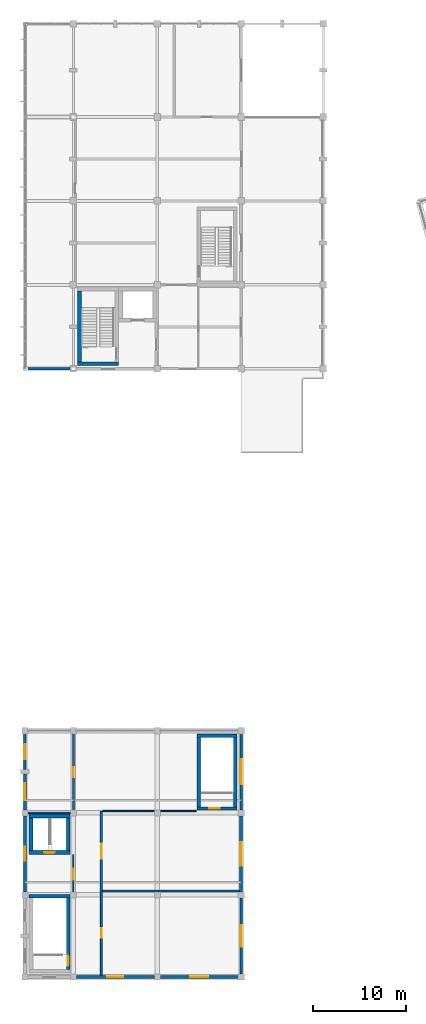
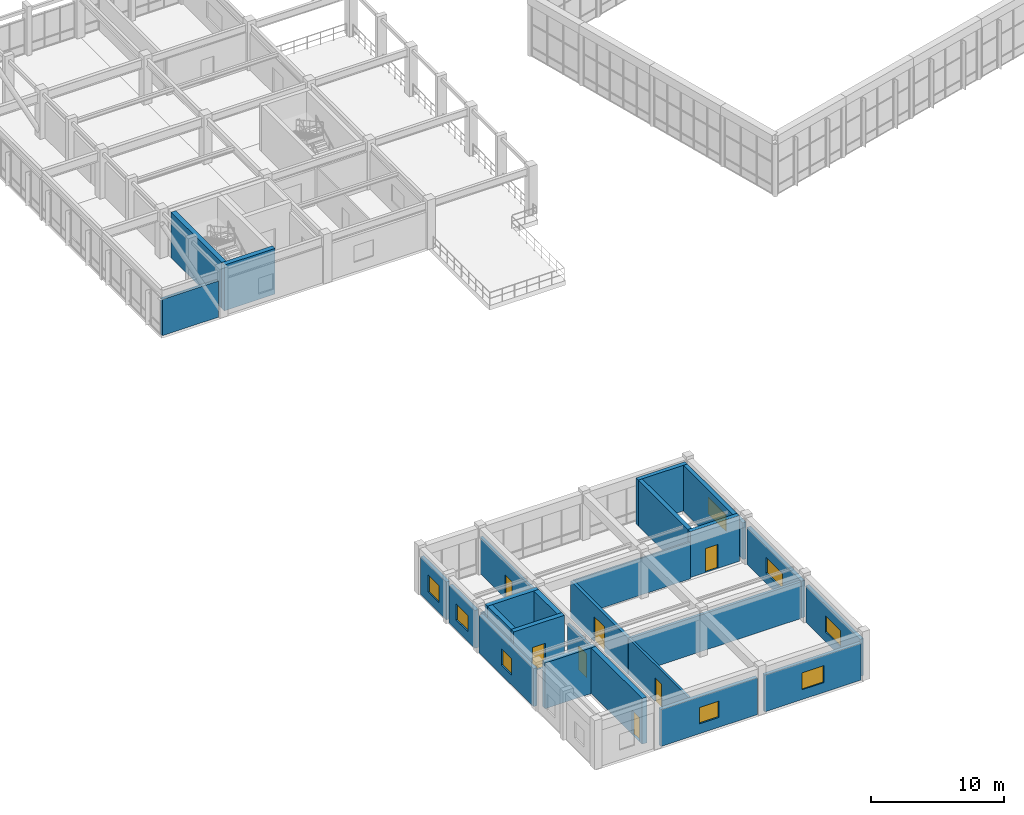
# One storey, part 44 of 55: 28 walls, 8 windows, 7 doors, 15 openings.
"""IFC4 building model written with IfcOpenShell, lengths in metres."""

from ifc_helpers import new_model, si_unit, direction, frame, frame_2d, origin, place, context, subcontext, project, spatial, rectangle, extrude, material, layer, layer_set, type_object, element, fill, save


model = new_model("IFC4")

# Units and contexts
model_context = context("Model", 3, precision=1e-05, world=origin(), true_north=direction((0.0, 1.0)))
body_context = subcontext(model_context, "Body", "Model", "MODEL_VIEW")
ifc_project = project(units=[si_unit("LENGTHUNIT", "METRE"), si_unit("AREAUNIT", "SQUARE_METRE"), si_unit("VOLUMEUNIT", "CUBIC_METRE"), si_unit("PLANEANGLEUNIT", "RADIAN"), si_unit("MASSUNIT", "GRAM", prefix="KILO")], contexts=[model_context])

# Site, building, storey
site_placement = place(None, origin())
site = spatial("IfcSite", under=ifc_project, at=site_placement, CompositionType="ELEMENT")
building_placement = place(site_placement, origin())
building = spatial("IfcBuilding", under=site, at=building_placement, Name="Ventoquebrada Cableway Terminal", CompositionType="ELEMENT")
storey_placement = place(building_placement, frame((0.0, 0.0, 14.39990234375)))
storey = spatial("IfcBuildingStorey", under=building, at=storey_placement, Name="L03", CompositionType="ELEMENT", Elevation=14.39990234375)

# Wall, opening, door
ifc_material_1 = material(Name="Concrete C40/50", Category="concrete")
ifc_layer_1 = layer(ifc_material_1, 0.39990234375)
ifc_layer_set_1 = layer_set([ifc_layer_1], Name="Concrete C40/50")
wall_type_1 = type_object("IfcWallType", Name="WL-CR1", PredefinedType="SHEAR", material=ifc_layer_set_1)
wall_1_placement = place(storey_placement, frame((7.64990234375, 12.60009765625, 0.0), z_axis=(0.0, 0.0, 1.0), x_axis=(0.0, 1.0, 0.0)))
wall_1 = element("IfcWall", 1, at=wall_1_placement, inside=storey, type_object=wall_type_1, Name="Core shear wall IW-0034", PredefinedType="SHEAR", context=body_context, shape_type="SweptSolid", body=[
    extrude(rectangle(XDim=7.64990234375, YDim=0.39990234375, at=frame_2d((3.824951171875, 0.0))), origin(), (0.0, 0.0, 1.0), 4.190185546875),
])
opening_1_placement = place(wall_1_placement, frame((0.39990234375, 0.0, 0.0)))
opening_1 = element("IfcOpeningElement", 2, at=opening_1_placement, cuts=wall_1, Name="Opening D-005", PredefinedType="OPENING", context=body_context, shape_type="SweptSolid", body=[
    extrude(rectangle(XDim=1.10009765625, YDim=2.199951171875, at=frame_2d((0.550048828125, 1.10009765625))), frame((0.0, 0.2099609375, 0.0), z_axis=(0.0, -1.0, 0.0), x_axis=(1.0, 0.0, 0.0)), (0.0, 0.0, 1.0), 0.419921875),
])
ifc_material_2 = material(Name="Galvanized fire-rated steel door assembly", Category="steel")
door_type_1 = type_object("IfcDoorType", Name="DT-IN05", OperationType="SINGLE_SWING_LEFT", PredefinedType="DOOR", material=ifc_material_2)
door_1_placement = place(opening_1_placement, origin())
door_1 = element("IfcDoor", 3, at=door_1_placement, inside=storey, type_object=door_type_1, Name="Core K1-S stair fire door D-005", OperationType="SINGLE_SWING_RIGHT", OverallHeight=2.199951171875, OverallWidth=1.10009765625, PredefinedType="DOOR", context=body_context, shape_type="SweptSolid", body=[
    extrude(rectangle(XDim=1.10009765625, YDim=2.199951171875, at=frame_2d((0.550048828125, 1.10009765625))), frame((0.0, 0.02490234375, 0.0), z_axis=(0.0, -1.0, 0.0), x_axis=(1.0, 0.0, 0.0)), (0.0, 0.0, 1.0), 0.050048828125),
])
fill(opening_1, door_1)

# Wall
wall_2_placement = place(storey_placement, frame((7.85009765625, 20.449951171875, 0.0), z_axis=(0.0, 0.0, 1.0), x_axis=(-1.0, 0.0, 0.0)))
element("IfcWall", 4, at=wall_2_placement, inside=storey, type_object=wall_type_1, Name="Core shear wall IW-0035", PredefinedType="SHEAR", context=body_context, shape_type="SweptSolid", body=[
    extrude(rectangle(XDim=4.400146484375, YDim=0.39990234375, at=frame_2d((2.2001953125, 0.0))), origin(), (0.0, 0.0, 1.0), 4.190185546875),
])

# Wall, opening, door
wall_3_placement = place(storey_placement, frame((3.449951171875, 25.14990234375, 0.0), z_axis=(0.0, 0.0, 1.0), x_axis=(1.0, 0.0, 0.0)))
wall_3 = element("IfcWall", 5, at=wall_3_placement, inside=storey, type_object=wall_type_1, Name="Core shear wall IW-0037", PredefinedType="SHEAR", context=body_context, shape_type="SweptSolid", body=[
    extrude(rectangle(XDim=4.400146484375, YDim=0.39990234375, at=frame_2d((2.2001953125, 0.0))), origin(), (0.0, 0.0, 1.0), 4.190185546875),
])
opening_2_placement = place(wall_3_placement, frame((1.64990234375, 0.0, 0.0)))
opening_2 = element("IfcOpeningElement", 6, at=opening_2_placement, cuts=wall_3, Name="Opening LD-005", PredefinedType="OPENING", context=body_context, shape_type="SweptSolid", body=[
    extrude(rectangle(XDim=1.10009765625, YDim=2.199951171875, at=frame_2d((0.550048828125, 1.10009765625))), frame((0.0, 0.2099609375, 0.0), z_axis=(0.0, -1.0, 0.0), x_axis=(1.0, 0.0, 0.0)), (0.0, 0.0, 1.0), 0.419921875),
])
ifc_material_3 = material(Name="Brushed stainless steel Grade 316", Category="steel")
door_type_2 = type_object("IfcDoorType", Name="DT-LD01", OperationType="SLIDING_TO_LEFT", PredefinedType="DOOR", material=ifc_material_3)
door_2_placement = place(opening_2_placement, origin())
door_2 = element("IfcDoor", 7, at=door_2_placement, inside=storey, type_object=door_type_2, Name="Lift landing sliding door LD-005", OperationType="SLIDING_TO_RIGHT", OverallHeight=2.199951171875, OverallWidth=1.10009765625, PredefinedType="DOOR", context=body_context, shape_type="SweptSolid", body=[
    extrude(rectangle(XDim=1.10009765625, YDim=2.199951171875, at=frame_2d((0.550048828125, 1.10009765625))), frame((0.0, 0.02490234375, 0.0), z_axis=(0.0, -1.0, 0.0), x_axis=(1.0, 0.0, 0.0)), (0.0, 0.0, 1.0), 0.050048828125),
])
fill(opening_2, door_2)

# Walls
wall_4_placement = place(storey_placement, frame((7.64990234375, 25.35009765625, 0.0), z_axis=(0.0, 0.0, 1.0), x_axis=(0.0, 1.0, 0.0)))
element("IfcWall", 8, at=wall_4_placement, inside=storey, type_object=wall_type_1, Name="Core shear wall IW-0038", PredefinedType="SHEAR", context=body_context, shape_type="SweptSolid", body=[
    extrude(rectangle(XDim=3.5, YDim=0.39990234375, at=frame_2d((1.75, 0.0))), origin(), (0.0, 0.0, 1.0), 4.190185546875),
])
wall_5_placement = place(storey_placement, frame((7.85009765625, 29.050048828125, 0.0), z_axis=(0.0, 0.0, 1.0), x_axis=(-1.0, 0.0, 0.0)))
element("IfcWall", 9, at=wall_5_placement, inside=storey, type_object=wall_type_1, Name="Core shear wall IW-0039", PredefinedType="SHEAR", context=body_context, shape_type="SweptSolid", body=[
    extrude(rectangle(XDim=4.400146484375, YDim=0.39990234375, at=frame_2d((2.2001953125, 0.0))), origin(), (0.0, 0.0, 1.0), 4.190185546875),
])
wall_6_placement = place(storey_placement, frame((3.64990234375, 28.85009765625, 0.0), z_axis=(0.0, 0.0, 1.0), x_axis=(0.0, -1.0, 0.0)))
element("IfcWall", 10, at=wall_6_placement, inside=storey, type_object=wall_type_1, Name="Core shear wall IW-0040", PredefinedType="SHEAR", context=body_context, shape_type="SweptSolid", body=[
    extrude(rectangle(XDim=3.5, YDim=0.39990234375, at=frame_2d((1.75, 0.0))), origin(), (0.0, 0.0, 1.0), 4.190185546875),
])
wall_7_placement = place(storey_placement, frame((8.64990234375, 77.550048828125, 0.0), z_axis=(0.0, 0.0, 1.0), x_axis=(1.0, 0.0, 0.0)))
element("IfcWall", 11, at=wall_7_placement, inside=storey, type_object=wall_type_1, Name="Core shear wall IW-0073", PredefinedType="SHEAR", context=body_context, shape_type="SweptSolid", body=[
    extrude(rectangle(XDim=4.400146484375, YDim=0.39990234375, at=frame_2d((2.2001953125, 0.0))), origin(), (0.0, 0.0, 1.0), 4.190185546875),
])
wall_8_placement = place(storey_placement, frame((8.85009765625, 85.35009765625, 0.0), z_axis=(0.0, 0.0, 1.0), x_axis=(0.0, -1.0, 0.0)))
element("IfcWall", 12, at=wall_8_placement, inside=storey, type_object=wall_type_1, Name="Core shear wall IW-0076", PredefinedType="SHEAR", context=body_context, shape_type="SweptSolid", body=[
    extrude(rectangle(XDim=7.60009765625, YDim=0.39990234375, at=frame_2d((3.800048828125, 0.0))), origin(), (0.0, 0.0, 1.0), 4.190185546875),
])

# Wall, opening, window
ifc_material_4 = material(Name="Precast architectural concrete C40/50", Category="concrete")
ifc_layer_2 = layer(ifc_material_4, 0.280029296875)
ifc_layer_set_2 = layer_set([ifc_layer_2], Name="Precast architectural concrete C40/50")
wall_type_2 = type_object("IfcWallType", Name="WL-EX1", PredefinedType="SOLIDWALL", material=ifc_layer_set_2)
wall_9_placement = place(storey_placement, frame((17.52001953125, 11.800048828125, 0.0), z_axis=(0.0, 0.0, 1.0), x_axis=(1.0, 0.0, 0.0)))
wall_9 = element("IfcWall", 13, at=wall_9_placement, inside=storey, type_object=wall_type_2, Name="Exterior architectural wall EW-0118", PredefinedType="SOLIDWALL", context=body_context, shape_type="SweptSolid", body=[
    extrude(rectangle(XDim=8.35986328125, YDim=0.280029296875, at=frame_2d((4.179931640625, 0.0))), origin(), (0.0, 0.0, 1.0), 3.375),
])
opening_3_placement = place(wall_9_placement, frame((3.22998046875, 0.0, 0.89990234375)))
opening_3 = element("IfcOpeningElement", 14, at=opening_3_placement, cuts=wall_9, Name="Opening WN-037", PredefinedType="OPENING", context=body_context, shape_type="SweptSolid", body=[
    extrude(rectangle(XDim=1.89990234375, YDim=1.550048828125, at=frame_2d((0.949951171875, 0.77490234375))), frame((0.0, 0.14990234375, 0.0), z_axis=(0.0, -1.0, 0.0), x_axis=(1.0, 0.0, 0.0)), (0.0, 0.0, 1.0), 0.300048828125),
])
ifc_material_5 = material(Name="Double low-e laminated safety glazing", Category="glass")
window_type_1 = type_object("IfcWindowType", Name="WT-17", PartitioningType="SINGLE_PANEL", PredefinedType="WINDOW", material=ifc_material_5)
window_1_placement = place(opening_3_placement, origin())
window_1 = element("IfcWindow", 15, at=window_1_placement, inside=storey, type_object=window_type_1, Name="Architectural punched window WN-037", OverallHeight=1.550048828125, OverallWidth=1.89990234375, PartitioningType="SINGLE_PANEL", PredefinedType="WINDOW", context=body_context, shape_type="SweptSolid", body=[
    extrude(rectangle(XDim=1.89990234375, YDim=1.550048828125, at=frame_2d((0.949951171875, 0.77490234375))), frame((0.0, 0.030029296875, 0.0), z_axis=(0.0, -1.0, 0.0), x_axis=(1.0, 0.0, 0.0)), (0.0, 0.0, 1.0), 0.06005859375),
])
fill(opening_3, window_1)

wall_10_placement = place(storey_placement, frame((26.199951171875, 12.1201171875, 0.0), z_axis=(0.0, 0.0, 1.0), x_axis=(0.0, 1.0, 0.0)))
wall_10 = element("IfcWall", 16, at=wall_10_placement, inside=storey, type_object=wall_type_2, Name="Exterior architectural wall EW-0119", PredefinedType="SOLIDWALL", context=body_context, shape_type="SweptSolid", body=[
    extrude(rectangle(XDim=8.159912109375, YDim=0.280029296875, at=frame_2d((4.080078125, 0.0))), origin(), (0.0, 0.0, 1.0), 3.375),
])
opening_4_placement = place(wall_10_placement, frame((2.929931640625, 0.0, 0.89990234375)))
opening_4 = element("IfcOpeningElement", 17, at=opening_4_placement, cuts=wall_10, Name="Opening WN-038", PredefinedType="OPENING", context=body_context, shape_type="SweptSolid", body=[
    extrude(rectangle(XDim=2.300048828125, YDim=1.5, at=frame_2d((1.14990234375, 0.75))), frame((0.0, 0.14990234375, 0.0), z_axis=(0.0, -1.0, 0.0), x_axis=(1.0, 0.0, 0.0)), (0.0, 0.0, 1.0), 0.300048828125),
])
window_type_2 = type_object("IfcWindowType", Name="WT-18", PartitioningType="SINGLE_PANEL", PredefinedType="WINDOW", material=ifc_material_5)
window_2_placement = place(opening_4_placement, origin())
window_2 = element("IfcWindow", 18, at=window_2_placement, inside=storey, type_object=window_type_2, Name="Architectural punched window WN-038", OverallHeight=1.5, OverallWidth=2.300048828125, PartitioningType="SINGLE_PANEL", PredefinedType="WINDOW", context=body_context, shape_type="SweptSolid", body=[
    extrude(rectangle(XDim=2.300048828125, YDim=1.5, at=frame_2d((1.14990234375, 0.75))), frame((0.0, 0.030029296875, 0.0), z_axis=(0.0, -1.0, 0.0), x_axis=(1.0, 0.0, 0.0)), (0.0, 0.0, 1.0), 0.06005859375),
])
fill(opening_4, window_2)

wall_11_placement = place(storey_placement, frame((26.199951171875, 29.719970703125, 0.0), z_axis=(0.0, 0.0, 1.0), x_axis=(0.0, 1.0, 0.0)))
wall_11 = element("IfcWall", 19, at=wall_11_placement, inside=storey, type_object=wall_type_2, Name="Exterior architectural wall EW-0121", PredefinedType="SOLIDWALL", context=body_context, shape_type="SweptSolid", body=[
    extrude(rectangle(XDim=8.159912109375, YDim=0.280029296875, at=frame_2d((4.080078125, 0.0))), origin(), (0.0, 0.0, 1.0), 3.375),
])
opening_5_placement = place(wall_11_placement, frame((2.72998046875, 0.0, 0.89990234375)))
opening_5 = element("IfcOpeningElement", 20, at=opening_5_placement, cuts=wall_11, Name="Opening WN-040", PredefinedType="OPENING", context=body_context, shape_type="SweptSolid", body=[
    extrude(rectangle(XDim=2.699951171875, YDim=1.5, at=frame_2d((1.35009765625, 0.75))), frame((0.0, 0.14990234375, 0.0), z_axis=(0.0, -1.0, 0.0), x_axis=(1.0, 0.0, 0.0)), (0.0, 0.0, 1.0), 0.300048828125),
])
window_type_3 = type_object("IfcWindowType", Name="WT-20", PartitioningType="SINGLE_PANEL", PredefinedType="WINDOW", material=ifc_material_5)
window_3_placement = place(opening_5_placement, origin())
window_3 = element("IfcWindow", 21, at=window_3_placement, inside=storey, type_object=window_type_3, Name="Architectural punched window WN-040", OverallHeight=1.5, OverallWidth=2.699951171875, PartitioningType="SINGLE_PANEL", PredefinedType="WINDOW", context=body_context, shape_type="SweptSolid", body=[
    extrude(rectangle(XDim=2.699951171875, YDim=1.5, at=frame_2d((1.35009765625, 0.75))), frame((0.0, 0.030029296875, 0.0), z_axis=(0.0, -1.0, 0.0), x_axis=(1.0, 0.0, 0.0)), (0.0, 0.0, 1.0), 0.06005859375),
])
fill(opening_5, window_3)

wall_12_placement = place(storey_placement, frame((3.0, 37.8798828125, 0.0), z_axis=(0.0, 0.0, 1.0), x_axis=(0.0, -1.0, 0.0)))
wall_12 = element("IfcWall", 22, at=wall_12_placement, inside=storey, type_object=wall_type_2, Name="Exterior architectural wall EW-0125", PredefinedType="SOLIDWALL", context=body_context, shape_type="SweptSolid", body=[
    extrude(rectangle(XDim=3.85986328125, YDim=0.280029296875, at=frame_2d((1.929931640625, 0.0))), origin(), (0.0, 0.0, 1.0), 3.47509765625),
])
opening_6_placement = place(wall_12_placement, frame((1.1298828125, 0.0, 0.89990234375)))
opening_6 = element("IfcOpeningElement", 23, at=opening_6_placement, cuts=wall_12, Name="Opening WN-044", PredefinedType="OPENING", context=body_context, shape_type="SweptSolid", body=[
    extrude(rectangle(XDim=1.60009765625, YDim=1.550048828125, at=frame_2d((0.800048828125, 0.77490234375))), frame((0.0, 0.14990234375, 0.0), z_axis=(0.0, -1.0, 0.0), x_axis=(1.0, 0.0, 0.0)), (0.0, 0.0, 1.0), 0.300048828125),
])
window_type_4 = type_object("IfcWindowType", Name="WT-04", PartitioningType="SINGLE_PANEL", PredefinedType="WINDOW", material=ifc_material_5)
window_4_placement = place(opening_6_placement, origin())
window_4 = element("IfcWindow", 24, at=window_4_placement, inside=storey, type_object=window_type_4, Name="Architectural punched window WN-044", OverallHeight=1.550048828125, OverallWidth=1.60009765625, PartitioningType="SINGLE_PANEL", PredefinedType="WINDOW", context=body_context, shape_type="SweptSolid", body=[
    extrude(rectangle(XDim=1.60009765625, YDim=1.550048828125, at=frame_2d((0.800048828125, 0.77490234375))), frame((0.0, 0.030029296875, 0.0), z_axis=(0.0, -1.0, 0.0), x_axis=(1.0, 0.0, 0.0)), (0.0, 0.0, 1.0), 0.06005859375),
])
fill(opening_6, window_4)

# Wall
wall_13_placement = place(storey_placement, frame((3.0, 77.0, 0.0), z_axis=(0.0, 0.0, 1.0), x_axis=(1.0, 0.0, 0.0)))
element("IfcWall", 25, at=wall_13_placement, inside=storey, type_object=wall_type_2, Name="Exterior architectural wall EW-0163", PredefinedType="SOLIDWALL", context=body_context, shape_type="SweptSolid", body=[
    extrude(rectangle(XDim=4.85498046875, YDim=0.280029296875, at=frame_2d((2.427490234375, 0.0))), origin(), (0.0, 0.0, 1.0), 3.314208984375),
])

# Wall, opening, window
ifc_layer_3 = layer(ifc_material_4, 0.320068359375)
ifc_layer_set_3 = layer_set([ifc_layer_3], Name="Precast architectural concrete C40/50")
wall_type_3 = type_object("IfcWallType", Name="WL-EX2", PredefinedType="SOLIDWALL", material=ifc_layer_set_3)
wall_14_placement = place(storey_placement, frame((8.52001953125, 11.800048828125, 0.0), z_axis=(0.0, 0.0, 1.0), x_axis=(1.0, 0.0, 0.0)))
wall_14 = element("IfcWall", 26, at=wall_14_placement, inside=storey, type_object=wall_type_3, Name="Exterior architectural wall EW-0117", PredefinedType="SOLIDWALL", context=body_context, shape_type="SweptSolid", body=[
    extrude(rectangle(XDim=8.35986328125, YDim=0.320068359375, at=frame_2d((4.179931640625, 0.0))), origin(), (0.0, 0.0, 1.0), 3.375),
])
opening_7_placement = place(wall_14_placement, frame((3.330078125, 0.0, 0.89990234375)))
opening_7 = element("IfcOpeningElement", 27, at=opening_7_placement, cuts=wall_14, Name="Opening WN-036", PredefinedType="OPENING", context=body_context, shape_type="SweptSolid", body=[
    extrude(rectangle(XDim=1.699951171875, YDim=1.5, at=frame_2d((0.85009765625, 0.75))), frame((0.0, 0.169921875, 0.0), z_axis=(0.0, -1.0, 0.0), x_axis=(1.0, 0.0, 0.0)), (0.0, 0.0, 1.0), 0.340087890625),
])
window_type_5 = type_object("IfcWindowType", Name="WT-16", PartitioningType="SINGLE_PANEL", PredefinedType="WINDOW", material=ifc_material_5)
window_5_placement = place(opening_7_placement, origin())
window_5 = element("IfcWindow", 28, at=window_5_placement, inside=storey, type_object=window_type_5, Name="Architectural punched window WN-036", OverallHeight=1.5, OverallWidth=1.699951171875, PartitioningType="SINGLE_PANEL", PredefinedType="WINDOW", context=body_context, shape_type="SweptSolid", body=[
    extrude(rectangle(XDim=1.699951171875, YDim=1.5, at=frame_2d((0.85009765625, 0.75))), frame((0.0, 0.030029296875, 0.0), z_axis=(0.0, -1.0, 0.0), x_axis=(1.0, 0.0, 0.0)), (0.0, 0.0, 1.0), 0.06005859375),
])
fill(opening_7, window_5)

wall_15_placement = place(storey_placement, frame((26.199951171875, 20.919921875, 0.0), z_axis=(0.0, 0.0, 1.0), x_axis=(0.0, 1.0, 0.0)))
wall_15 = element("IfcWall", 29, at=wall_15_placement, inside=storey, type_object=wall_type_3, Name="Exterior architectural wall EW-0120", PredefinedType="SOLIDWALL", context=body_context, shape_type="SweptSolid", body=[
    extrude(rectangle(XDim=8.16015625, YDim=0.320068359375, at=frame_2d((4.080078125, 0.0))), origin(), (0.0, 0.0, 1.0), 3.375),
])
opening_8_placement = place(wall_15_placement, frame((2.830078125, 0.0, 0.89990234375)))
opening_8 = element("IfcOpeningElement", 30, at=opening_8_placement, cuts=wall_15, Name="Opening WN-039", PredefinedType="OPENING", context=body_context, shape_type="SweptSolid", body=[
    extrude(rectangle(XDim=2.5, YDim=1.449951171875, at=frame_2d((1.25, 0.72509765625))), frame((0.0, 0.169921875, 0.0), z_axis=(0.0, -1.0, 0.0), x_axis=(1.0, 0.0, 0.0)), (0.0, 0.0, 1.0), 0.340087890625),
])
window_type_6 = type_object("IfcWindowType", Name="WT-19", PartitioningType="SINGLE_PANEL", PredefinedType="WINDOW", material=ifc_material_5)
window_6_placement = place(opening_8_placement, origin())
window_6 = element("IfcWindow", 31, at=window_6_placement, inside=storey, type_object=window_type_6, Name="Architectural punched window WN-039", OverallHeight=1.449951171875, OverallWidth=2.5, PartitioningType="SINGLE_PANEL", PredefinedType="WINDOW", context=body_context, shape_type="SweptSolid", body=[
    extrude(rectangle(XDim=2.5, YDim=1.449951171875, at=frame_2d((1.25, 0.72509765625))), frame((0.0, 0.030029296875, 0.0), z_axis=(0.0, -1.0, 0.0), x_axis=(1.0, 0.0, 0.0)), (0.0, 0.0, 1.0), 0.06005859375),
])
fill(opening_8, window_6)

wall_16_placement = place(storey_placement, frame((3.0, 29.080078125, 0.0), z_axis=(0.0, 0.0, 1.0), x_axis=(0.0, -1.0, 0.0)))
wall_16 = element("IfcWall", 32, at=wall_16_placement, inside=storey, type_object=wall_type_3, Name="Exterior architectural wall EW-0124", PredefinedType="SOLIDWALL", context=body_context, shape_type="SweptSolid", body=[
    extrude(rectangle(XDim=8.16015625, YDim=0.320068359375, at=frame_2d((4.080078125, 0.0))), origin(), (0.0, 0.0, 1.0), 3.47509765625),
])
opening_9_placement = place(wall_16_placement, frame((3.330078125, 0.0, 0.89990234375)))
opening_9 = element("IfcOpeningElement", 33, at=opening_9_placement, cuts=wall_16, Name="Opening WN-043", PredefinedType="OPENING", context=body_context, shape_type="SweptSolid", body=[
    extrude(rectangle(XDim=1.5, YDim=1.5, at=frame_2d((0.75, 0.75))), frame((0.0, 0.169921875, 0.0), z_axis=(0.0, -1.0, 0.0), x_axis=(1.0, 0.0, 0.0)), (0.0, 0.0, 1.0), 0.340087890625),
])
window_type_7 = type_object("IfcWindowType", Name="WT-03", PartitioningType="SINGLE_PANEL", PredefinedType="WINDOW", material=ifc_material_5)
window_7_placement = place(opening_9_placement, origin())
window_7 = element("IfcWindow", 34, at=window_7_placement, inside=storey, type_object=window_type_7, Name="Architectural punched window WN-043", OverallHeight=1.5, OverallWidth=1.5, PartitioningType="SINGLE_PANEL", PredefinedType="WINDOW", context=body_context, shape_type="SweptSolid", body=[
    extrude(rectangle(XDim=1.5, YDim=1.5, at=frame_2d((0.75, 0.75))), frame((0.0, 0.030029296875, 0.0), z_axis=(0.0, -1.0, 0.0), x_axis=(1.0, 0.0, 0.0)), (0.0, 0.0, 1.0), 0.06005859375),
])
fill(opening_9, window_7)

wall_17_placement = place(storey_placement, frame((3.0, 33.580078125, 0.0), z_axis=(0.0, 0.0, 1.0), x_axis=(0.0, -1.0, 0.0)))
wall_17 = element("IfcWall", 35, at=wall_17_placement, inside=storey, type_object=wall_type_3, Name="Exterior architectural wall EW-0126", PredefinedType="SOLIDWALL", context=body_context, shape_type="SweptSolid", body=[
    extrude(rectangle(XDim=3.860107421875, YDim=0.320068359375, at=frame_2d((1.93017578125, 0.0))), origin(), (0.0, 0.0, 1.0), 3.47509765625),
])
opening_10_placement = place(wall_17_placement, frame((1.030029296875, 0.0, 0.89990234375)))
opening_10 = element("IfcOpeningElement", 36, at=opening_10_placement, cuts=wall_17, Name="Opening WN-045", PredefinedType="OPENING", context=body_context, shape_type="SweptSolid", body=[
    extrude(rectangle(XDim=1.800048828125, YDim=1.5, at=frame_2d((0.89990234375, 0.75))), frame((0.0, 0.169921875, 0.0), z_axis=(0.0, -1.0, 0.0), x_axis=(1.0, 0.0, 0.0)), (0.0, 0.0, 1.0), 0.340087890625),
])
window_type_8 = type_object("IfcWindowType", Name="WT-05", PartitioningType="SINGLE_PANEL", PredefinedType="WINDOW", material=ifc_material_5)
window_8_placement = place(opening_10_placement, origin())
window_8 = element("IfcWindow", 37, at=window_8_placement, inside=storey, type_object=window_type_8, Name="Architectural punched window WN-045", OverallHeight=1.5, OverallWidth=1.800048828125, PartitioningType="SINGLE_PANEL", PredefinedType="WINDOW", context=body_context, shape_type="SweptSolid", body=[
    extrude(rectangle(XDim=1.800048828125, YDim=1.5, at=frame_2d((0.89990234375, 0.75))), frame((0.0, 0.030029296875, 0.0), z_axis=(0.0, -1.0, 0.0), x_axis=(1.0, 0.0, 0.0)), (0.0, 0.0, 1.0), 0.06005859375),
])
fill(opening_10, window_8)

# Wall, opening, door
ifc_material_6 = material(Name="Fire-rated gypsum partition board on steel framing", Category="steel")
ifc_layer_4 = layer(ifc_material_6, 0.179931640625)
ifc_layer_set_4 = layer_set([ifc_layer_4], Name="Fire-rated gypsum partition board on steel framing")
wall_type_4 = type_object("IfcWallType", Name="WL-PT3", PredefinedType="STANDARD", material=ifc_layer_set_4)
wall_18_placement = place(storey_placement, frame((8.199951171875, 20.64990234375, 0.0), z_axis=(0.0, 0.0, 1.0), x_axis=(0.0, 1.0, 0.0)))
wall_18 = element("IfcWall", 38, at=wall_18_placement, inside=storey, type_object=wall_type_4, Name="Interior partition IW-0413", PredefinedType="STANDARD", context=body_context, shape_type="SweptSolid", body=[
    extrude(rectangle(XDim=4.300048828125, YDim=0.179931640625, at=frame_2d((2.14990234375, 0.0))), origin(), (0.0, 0.0, 1.0), 3.364990234375),
])
opening_11_placement = place(wall_18_placement, frame((1.550048828125, 0.0, 0.0)))
opening_11 = element("IfcOpeningElement", 39, at=opening_11_placement, cuts=wall_18, Name="Opening D-128", PredefinedType="OPENING", context=body_context, shape_type="SweptSolid", body=[
    extrude(rectangle(XDim=1.199951171875, YDim=2.199951171875, at=frame_2d((0.60009765625, 1.10009765625))), frame((0.0, 0.099853515625, 0.0), z_axis=(0.0, -1.0, 0.0), x_axis=(1.0, 0.0, 0.0)), (0.0, 0.0, 1.0), 0.199951171875),
])
door_type_3 = type_object("IfcDoorType", Name="DT-IN06", OperationType="SINGLE_SWING_RIGHT", PredefinedType="DOOR", material=ifc_material_2)
door_3_placement = place(opening_11_placement, origin())
door_3 = element("IfcDoor", 40, at=door_3_placement, inside=storey, type_object=door_type_3, Name="K1 Firefighting Lobby Door D-128", OperationType="SINGLE_SWING_LEFT", OverallHeight=2.199951171875, OverallWidth=1.199951171875, PredefinedType="DOOR", context=body_context, shape_type="SweptSolid", body=[
    extrude(rectangle(XDim=1.199951171875, YDim=2.199951171875, at=frame_2d((0.60009765625, 1.10009765625))), frame((0.0, 0.02490234375, 0.0), z_axis=(0.0, -1.0, 0.0), x_axis=(1.0, 0.0, 0.0)), (0.0, 0.0, 1.0), 0.050048828125),
])
fill(opening_11, door_3)

ifc_material_7 = material(Name="Autoclaved aerated concrete blockwork", Category="masonry")
ifc_layer_5 = layer(ifc_material_7, 0.199951171875)
ifc_layer_set_5 = layer_set([ifc_layer_5], Name="Autoclaved aerated concrete blockwork")
wall_type_5 = type_object("IfcWallType", Name="WL-PT4", PredefinedType="PARTITIONING", material=ifc_layer_set_5)
wall_19_placement = place(storey_placement, frame((11.199951171875, 12.0, 0.0), z_axis=(0.0, 0.0, 1.0), x_axis=(0.0, 1.0, 0.0)))
wall_19 = element("IfcWall", 41, at=wall_19_placement, inside=storey, type_object=wall_type_5, Name="Interior partition IW-0414", PredefinedType="PARTITIONING", context=body_context, shape_type="SweptSolid", body=[
    extrude(rectangle(XDim=9.0, YDim=0.199951171875, at=frame_2d((4.5, 0.0))), origin(), (0.0, 0.0, 1.0), 3.364990234375),
])
opening_12_placement = place(wall_19_placement, frame((4.0, 0.0, 0.0)))
opening_12 = element("IfcOpeningElement", 42, at=opening_12_placement, cuts=wall_19, Name="Opening D-129", PredefinedType="OPENING", context=body_context, shape_type="SweptSolid", body=[
    extrude(rectangle(XDim=1.0, YDim=2.14990234375, at=frame_2d((0.5, 1.074951171875))), frame((0.0, 0.10986328125, 0.0), z_axis=(0.0, -1.0, 0.0), x_axis=(1.0, 0.0, 0.0)), (0.0, 0.0, 1.0), 0.219970703125),
])
ifc_material_8 = material(Name="Fire-retardant oak acoustic door leaf")
door_type_4 = type_object("IfcDoorType", Name="DT-IN02", OperationType="SINGLE_SWING_RIGHT", PredefinedType="DOOR", material=ifc_material_8)
door_4_placement = place(opening_12_placement, origin())
door_4 = element("IfcDoor", 43, at=door_4_placement, inside=storey, type_object=door_type_4, Name="Network Operations Centre Door D-129", OperationType="SINGLE_SWING_RIGHT", OverallHeight=2.14990234375, OverallWidth=1.0, PredefinedType="DOOR", context=body_context, shape_type="SweptSolid", body=[
    extrude(rectangle(XDim=1.0, YDim=2.14990234375, at=frame_2d((0.5, 1.074951171875))), frame((0.0, 0.02490234375, 0.0), z_axis=(0.0, -1.0, 0.0), x_axis=(1.0, 0.0, 0.0)), (0.0, 0.0, 1.0), 0.050048828125),
])
fill(opening_12, door_4)

# Wall
ifc_layer_6 = layer(ifc_material_7, 0.22998046875)
ifc_layer_set_6 = layer_set([ifc_layer_6], Name="Autoclaved aerated concrete blockwork")
wall_type_6 = type_object("IfcWallType", Name="WL-PT5", PredefinedType="PARTITIONING", material=ifc_layer_set_6)
wall_20_placement = place(storey_placement, frame((11.298095703125, 21.0, 0.0), z_axis=(0.0, 0.0, 1.0), x_axis=(1.0, 0.0, 0.0)))
element("IfcWall", 44, at=wall_20_placement, inside=storey, type_object=wall_type_6, Name="Interior partition IW-0415", PredefinedType="PARTITIONING", context=body_context, shape_type="SweptSolid", body=[
    extrude(rectangle(XDim=14.701904296875, YDim=0.22998046875, at=frame_2d((7.35107421875, 0.0))), origin(), (0.0, 0.0, 1.0), 3.364990234375),
])

# Wall, opening, door
ifc_layer_7 = layer(ifc_material_7, 0.260009765625)
ifc_layer_set_7 = layer_set([ifc_layer_7], Name="Autoclaved aerated concrete blockwork")
wall_type_7 = type_object("IfcWallType", Name="WL-PT6", PredefinedType="PARTITIONING", material=ifc_layer_set_7)
wall_21_placement = place(storey_placement, frame((11.199951171875, 21.0, 0.0), z_axis=(0.0, 0.0, 1.0), x_axis=(0.0, 1.0, 0.0)))
wall_21 = element("IfcWall", 45, at=wall_21_placement, inside=storey, type_object=wall_type_7, Name="Interior partition IW-0416", PredefinedType="PARTITIONING", context=body_context, shape_type="SweptSolid", body=[
    extrude(rectangle(XDim=8.60009765625, YDim=0.260009765625, at=frame_2d((4.300048828125, 0.0))), origin(), (0.0, 0.0, 1.0), 3.364990234375),
])
opening_13_placement = place(wall_21_placement, frame((3.5, 0.0, 0.0)))
opening_13 = element("IfcOpeningElement", 46, at=opening_13_placement, cuts=wall_21, Name="Opening D-130", PredefinedType="OPENING", context=body_context, shape_type="SweptSolid", body=[
    extrude(rectangle(XDim=1.60009765625, YDim=2.25, at=frame_2d((0.800048828125, 1.125))), frame((0.0, 0.139892578125, 0.0), z_axis=(0.0, -1.0, 0.0), x_axis=(1.0, 0.0, 0.0)), (0.0, 0.0, 1.0), 0.280029296875),
])
door_type_5 = type_object("IfcDoorType", Name="DT-IN07", OperationType="DOUBLE_SWING_LEFT", PredefinedType="DOOR", material=ifc_material_2)
door_5_placement = place(opening_13_placement, origin())
door_5 = element("IfcDoor", 47, at=door_5_placement, inside=storey, type_object=door_type_5, Name="Civic Boardroom Double Door D-130", OperationType="DOUBLE_SWING_LEFT", OverallHeight=2.25, OverallWidth=1.60009765625, PredefinedType="DOOR", context=body_context, shape_type="SweptSolid", body=[
    extrude(rectangle(XDim=1.60009765625, YDim=2.25, at=frame_2d((0.800048828125, 1.125))), frame((0.0, 0.02490234375, 0.0), z_axis=(0.0, -1.0, 0.0), x_axis=(1.0, 0.0, 0.0)), (0.0, 0.0, 1.0), 0.050048828125),
])
fill(opening_13, door_5)

# Walls
ifc_layer_8 = layer(ifc_material_6, 0.135009765625)
ifc_layer_set_8 = layer_set([ifc_layer_8], Name="Fire-rated gypsum partition board on steel framing")
wall_type_8 = type_object("IfcWallType", Name="WL-PT7", PredefinedType="PARTITIONING", material=ifc_layer_set_8)
wall_22_placement = place(storey_placement, frame((11.327880859375, 29.60009765625, 0.0), z_axis=(0.0, 0.0, 1.0), x_axis=(1.0, 0.0, 0.0)))
element("IfcWall", 48, at=wall_22_placement, inside=storey, type_object=wall_type_8, Name="Interior partition IW-0417", PredefinedType="PARTITIONING", context=body_context, shape_type="SweptSolid", body=[
    extrude(rectangle(XDim=10.072021484375, YDim=0.135009765625, at=frame_2d((5.0361328125, 0.0))), origin(), (0.0, 0.0, 1.0), 3.364990234375),
])
ifc_layer_9 = layer(ifc_material_6, 0.1650390625)
ifc_layer_set_9 = layer_set([ifc_layer_9], Name="Fire-rated gypsum partition board on steel framing")
wall_type_9 = type_object("IfcWallType", Name="WL-PT8", PredefinedType="PARTITIONING", material=ifc_layer_set_9)
wall_23_placement = place(storey_placement, frame((3.199951171875, 29.39990234375, 0.0), z_axis=(0.0, 0.0, 1.0), x_axis=(1.0, 0.0, 0.0)))
element("IfcWall", 49, at=wall_23_placement, inside=storey, type_object=wall_type_9, Name="Interior partition IW-0418", PredefinedType="PARTITIONING", context=body_context, shape_type="SweptSolid", body=[
    extrude(rectangle(XDim=5.0, YDim=0.1650390625, at=frame_2d((2.5, 0.0))), origin(), (0.0, 0.0, 1.0), 3.364990234375),
])

# Wall, opening, door
ifc_layer_10 = layer(ifc_material_7, 0.215087890625)
ifc_layer_set_10 = layer_set([ifc_layer_10], Name="Autoclaved aerated concrete blockwork")
wall_type_10 = type_object("IfcWallType", Name="WL-PT9", PredefinedType="PARTITIONING", material=ifc_layer_set_10)
wall_24_placement = place(storey_placement, frame((8.199951171875, 29.47998046875, 0.0), z_axis=(0.0, 0.0, 1.0), x_axis=(0.0, 1.0, 0.0)))
wall_24 = element("IfcWall", 50, at=wall_24_placement, inside=storey, type_object=wall_type_10, Name="Interior partition IW-0419", PredefinedType="PARTITIONING", context=body_context, shape_type="SweptSolid", body=[
    extrude(rectangle(XDim=8.52001953125, YDim=0.215087890625, at=frame_2d((4.260009765625, 0.0))), origin(), (0.0, 0.0, 1.0), 3.364990234375),
])
opening_14_placement = place(wall_24_placement, frame((3.735107421875, 0.0, 0.0)))
opening_14 = element("IfcOpeningElement", 51, at=opening_14_placement, cuts=wall_24, Name="Opening D-131", PredefinedType="OPENING", context=body_context, shape_type="SweptSolid", body=[
    extrude(rectangle(XDim=1.050048828125, YDim=2.14990234375, at=frame_2d((0.52490234375, 1.074951171875))), frame((0.0, 0.117431640625, 0.0), z_axis=(0.0, -1.0, 0.0), x_axis=(1.0, 0.0, 0.0)), (0.0, 0.0, 1.0), 0.235107421875),
])
door_type_6 = type_object("IfcDoorType", Name="DT-IN03", OperationType="SINGLE_SWING_LEFT", PredefinedType="DOOR", material=ifc_material_8)
door_6_placement = place(opening_14_placement, origin())
door_6 = element("IfcDoor", 52, at=door_6_placement, inside=storey, type_object=door_type_6, Name="L03 Executive WC Door D-131", OperationType="SINGLE_SWING_RIGHT", OverallHeight=2.14990234375, OverallWidth=1.050048828125, PredefinedType="DOOR", context=body_context, shape_type="SweptSolid", body=[
    extrude(rectangle(XDim=1.050048828125, YDim=2.14990234375, at=frame_2d((0.52490234375, 1.074951171875))), frame((0.0, 0.02490234375, 0.0), z_axis=(0.0, -1.0, 0.0), x_axis=(1.0, 0.0, 0.0)), (0.0, 0.0, 1.0), 0.050048828125),
])
fill(opening_14, door_6)

ifc_layer_11 = layer(ifc_material_1, 0.35009765625)
ifc_layer_set_11 = layer_set([ifc_layer_11], Name="Concrete C40/50")
wall_type_11 = type_object("IfcWallType", Name="WL-SH1", PredefinedType="SHEAR", material=ifc_layer_set_11)
wall_25_placement = place(storey_placement, frame((21.47509765625, 29.85009765625, 0.0), z_axis=(0.0, 0.0, 1.0), x_axis=(1.0, 0.0, 0.0)))
wall_25 = element("IfcWall", 53, at=wall_25_placement, inside=storey, type_object=wall_type_11, Name="Core shear wall IW-0201", PredefinedType="SHEAR", context=body_context, shape_type="SweptSolid", body=[
    extrude(rectangle(XDim=4.25, YDim=0.35009765625, at=frame_2d((2.125, 0.0))), origin(), (0.0, 0.0, 1.0), 4.190185546875),
])
opening_15_placement = place(wall_25_placement, frame((1.300048828125, 0.0, 0.0)))
opening_15 = element("IfcOpeningElement", 54, at=opening_15_placement, cuts=wall_25, Name="Opening D-027", PredefinedType="OPENING", context=body_context, shape_type="SweptSolid", body=[
    extrude(rectangle(XDim=1.10009765625, YDim=2.199951171875, at=frame_2d((0.550048828125, 1.10009765625))), frame((0.0, 0.18505859375, 0.0), z_axis=(0.0, -1.0, 0.0), x_axis=(1.0, 0.0, 0.0)), (0.0, 0.0, 1.0), 0.3701171875),
])
door_7_placement = place(opening_15_placement, origin())
door_7 = element("IfcDoor", 55, at=door_7_placement, inside=storey, type_object=door_type_1, Name="Core V5-SEC stair fire door D-027", OperationType="SINGLE_SWING_RIGHT", OverallHeight=2.199951171875, OverallWidth=1.10009765625, PredefinedType="DOOR", context=body_context, shape_type="SweptSolid", body=[
    extrude(rectangle(XDim=1.10009765625, YDim=2.199951171875, at=frame_2d((0.550048828125, 1.10009765625))), frame((0.0, 0.02490234375, 0.0), z_axis=(0.0, -1.0, 0.0), x_axis=(1.0, 0.0, 0.0)), (0.0, 0.0, 1.0), 0.050048828125),
])
fill(opening_15, door_7)

# Walls
wall_26_placement = place(storey_placement, frame((25.550048828125, 30.02490234375, 0.0), z_axis=(0.0, 0.0, 1.0), x_axis=(0.0, 1.0, 0.0)))
element("IfcWall", 56, at=wall_26_placement, inside=storey, type_object=wall_type_11, Name="Core shear wall IW-0202", PredefinedType="SHEAR", context=body_context, shape_type="SweptSolid", body=[
    extrude(rectangle(XDim=7.4501953125, YDim=0.35009765625, at=frame_2d((3.72509765625, 0.0))), origin(), (0.0, 0.0, 1.0), 4.190185546875),
])
wall_27_placement = place(storey_placement, frame((25.72509765625, 37.64990234375, 0.0), z_axis=(0.0, 0.0, 1.0), x_axis=(-1.0, 0.0, 0.0)))
element("IfcWall", 57, at=wall_27_placement, inside=storey, type_object=wall_type_11, Name="Core shear wall IW-0203", PredefinedType="SHEAR", context=body_context, shape_type="SweptSolid", body=[
    extrude(rectangle(XDim=4.25, YDim=0.35009765625, at=frame_2d((2.125, 0.0))), origin(), (0.0, 0.0, 1.0), 4.190185546875),
])
wall_28_placement = place(storey_placement, frame((21.64990234375, 37.47509765625, 0.0), z_axis=(0.0, 0.0, 1.0), x_axis=(0.0, -1.0, 0.0)))
element("IfcWall", 58, at=wall_28_placement, inside=storey, type_object=wall_type_11, Name="Core shear wall IW-0204", PredefinedType="SHEAR", context=body_context, shape_type="SweptSolid", body=[
    extrude(rectangle(XDim=7.4501953125, YDim=0.35009765625, at=frame_2d((3.72509765625, 0.0))), origin(), (0.0, 0.0, 1.0), 4.190185546875),
])

save(model, "model.ifc")
